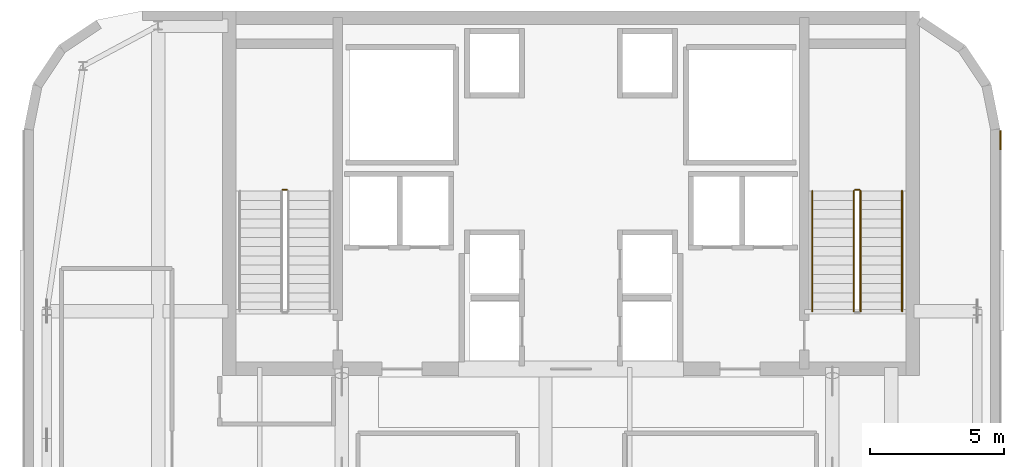
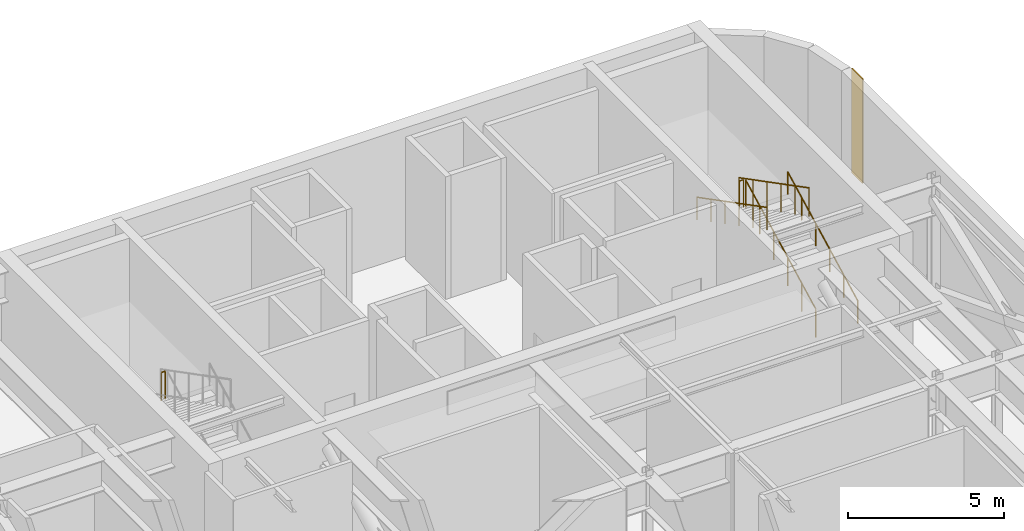
# One storey, part 13 of 13: 6 railings, 1 covering.
"""IFC4 building model written with IfcOpenShell, lengths in metres."""

from ifc_helpers import new_model, si_unit, direction, frame, origin, origin_2d, place, context, subcontext, project, spatial, polyline, circle, outline, extrude, material, layer, layer_set, type_object, element, save


model = new_model("IFC4")

# Units and contexts
model_context = context("Model", 3, precision=1e-05, world=origin(), true_north=direction((0.0, 1.0)))
body_context = subcontext(model_context, "Body", "Model", "MODEL_VIEW")
ifc_project = project(units=[si_unit("LENGTHUNIT", "METRE"), si_unit("AREAUNIT", "SQUARE_METRE"), si_unit("VOLUMEUNIT", "CUBIC_METRE"), si_unit("PLANEANGLEUNIT", "RADIAN"), si_unit("MASSUNIT", "GRAM", prefix="KILO")], contexts=[model_context])

# Site, building, storey
site_placement = place(None, origin())
site = spatial("IfcSite", under=ifc_project, at=site_placement, CompositionType="ELEMENT")
building_placement = place(site_placement, origin())
building = spatial("IfcBuilding", under=site, at=building_placement, Name="Tolvann Quenvar Hotel", CompositionType="ELEMENT")
storey_placement = place(building_placement, frame((0.0, 0.0, 270.050048828125)))
storey = spatial("IfcBuildingStorey", under=building, at=storey_placement, Name="L72", CompositionType="ELEMENT", Elevation=270.050048828125)

# Covering
ifc_material_1 = material(Name="Kiln-fired red architectural face brick cladding", Category="masonry")
ifc_layer = layer(ifc_material_1, 0.0400390625)
ifc_layer_set = layer_set([ifc_layer], Name="Kiln-fired red architectural face brick cladding")
covering_type = type_object("IfcCoveringType", Name="COV_CLAD_BRICK_40", PredefinedType="CLADDING", material=ifc_layer_set)
covering_placement = place(storey_placement, frame((0.0, 0.0, 0.699951171875)))
element("IfcCovering", 1, at=covering_placement, inside=storey, type_object=covering_type, Name="Brick Pier Cladding (L72-E09-P2)", PredefinedType="CLADDING", context=body_context, shape_type="SweptSolid", body=[
    extrude(outline(polyline([(39.0, 40.03271484375), (39.0, 40.73291015625), (39.0400390625, 40.73291015625), (39.0400390625, 40.03271484375), (39.0, 40.03271484375)])), origin(), (0.0, 0.0, 1.0), 4.080078125),
])

# Railings
ifc_material_2 = material(Name="Brushed 316 stainless steel balustrade and handrail", Category="steel")
railing_type_1 = type_object("IfcRailingType", Name="GUARDRAIL", PredefinedType="GUARDRAIL", material=ifc_material_2)
railing_1_placement = place(storey_placement, frame((12.39990234375, 38.534912109375, 2.5)))
element("IfcRailing", 2, at=railing_1_placement, inside=storey, type_object=railing_type_1, Name="L72 ST-C1 stair guard 2", PredefinedType="GUARDRAIL", context=body_context, shape_type="SweptSolid", body=[
    extrude(circle(Radius=0.02392578125, at=origin_2d()), frame((0.0, 0.0, 1.09619140625), z_axis=(-1.0, 0.0, 0.0), x_axis=(0.0, -1.0, 0.0)), (0.0, 0.0, 1.0), 0.14990234375),
    extrude(circle(Radius=0.02099609375, at=origin_2d()), origin(), (0.0, 0.0, 1.0), 1.072021484375),
    extrude(circle(Radius=0.02099609375, at=origin_2d()), frame((-0.14990234375, 0.0, 0.0)), (0.0, 0.0, 1.0), 1.072021484375),
])
railing_2_placement = place(storey_placement, frame((33.800048828125, 34.0, 0.178466796875)))
element("IfcRailing", 3, at=railing_2_placement, inside=storey, type_object=railing_type_1, Name="L72 ST-C2 stair guard 1", PredefinedType="GUARDRAIL", context=body_context, shape_type="SweptSolid", body=[
    extrude(circle(Radius=0.02392578125, at=origin_2d()), frame((0.0, 0.0, 1.09619140625), z_axis=(0.0, 0.888084280779, 0.459680661147), x_axis=(-1.0, 0.0, 0.0)), (0.0, 0.0, 1.0), 5.05029296875),
    extrude(circle(Radius=0.02099609375, at=origin_2d()), origin(), (0.0, 0.0, 1.0), 1.072021484375),
    extrude(circle(Radius=0.02099609375, at=origin_2d()), frame((0.0, 0.89697265625, 0.46435546875)), (0.0, 0.0, 1.0), 1.072021484375),
    extrude(circle(Radius=0.02099609375, at=origin_2d()), frame((0.0, 1.7939453125, 0.9287109375)), (0.0, 0.0, 1.0), 1.072021484375),
    extrude(circle(Radius=0.02099609375, at=origin_2d()), frame((0.0, 2.691162109375, 1.392822265625)), (0.0, 0.0, 1.0), 1.072021484375),
    extrude(circle(Radius=0.02099609375, at=origin_2d()), frame((0.0, 3.588134765625, 1.857177734375)), (0.0, 0.0, 1.0), 1.072021484375),
    extrude(circle(Radius=0.02099609375, at=origin_2d()), frame((0.0, 4.485107421875, 2.321533203125)), (0.0, 0.0, 1.0), 1.072021484375),
])
railing_3_placement = place(storey_placement, frame((33.75, 38.534912109375, 2.5)))
element("IfcRailing", 4, at=railing_3_placement, inside=storey, type_object=railing_type_1, Name="L72 ST-C2 stair guard 2", PredefinedType="GUARDRAIL", context=body_context, shape_type="SweptSolid", body=[
    extrude(circle(Radius=0.02392578125, at=origin_2d()), frame((0.0, 0.0, 1.09619140625), z_axis=(-1.0, 0.0, 0.0), x_axis=(0.0, -1.0, 0.0)), (0.0, 0.0, 1.0), 0.14990234375),
    extrude(circle(Radius=0.02099609375, at=origin_2d()), origin(), (0.0, 0.0, 1.0), 1.072021484375),
    extrude(circle(Radius=0.02099609375, at=origin_2d()), frame((-0.14990234375, 0.0, 0.0)), (0.0, 0.0, 1.0), 1.072021484375),
])
railing_4_placement = place(storey_placement, frame((33.550048828125, 38.485107421875, 2.678466796875)))
element("IfcRailing", 5, at=railing_4_placement, inside=storey, type_object=railing_type_1, Name="L72 ST-C2 stair guard 3", PredefinedType="GUARDRAIL", context=body_context, shape_type="SweptSolid", body=[
    extrude(circle(Radius=0.02392578125, at=origin_2d()), frame((0.0, 0.0, 1.09619140625), z_axis=(0.0, -0.888084280779, 0.459680661147), x_axis=(1.0, 0.0, 0.0)), (0.0, 0.0, 1.0), 5.05029296875),
    extrude(circle(Radius=0.02099609375, at=origin_2d()), origin(), (0.0, 0.0, 1.0), 1.072021484375),
    extrude(circle(Radius=0.02099609375, at=origin_2d()), frame((0.0, -0.89697265625, 0.46435546875)), (0.0, 0.0, 1.0), 1.072021484375),
    extrude(circle(Radius=0.02099609375, at=origin_2d()), frame((0.0, -1.7939453125, 0.9287109375)), (0.0, 0.0, 1.0), 1.072021484375),
    extrude(circle(Radius=0.02099609375, at=origin_2d()), frame((0.0, -2.691162109375, 1.392822265625)), (0.0, 0.0, 1.0), 1.072021484375),
    extrude(circle(Radius=0.02099609375, at=origin_2d()), frame((0.0, -3.588134765625, 1.857177734375)), (0.0, 0.0, 1.0), 1.072021484375),
    extrude(circle(Radius=0.02099609375, at=origin_2d()), frame((0.0, -4.485107421875, 2.321533203125)), (0.0, 0.0, 1.0), 1.072021484375),
])
railing_type_2 = type_object("IfcRailingType", Name="HANDRAIL", PredefinedType="HANDRAIL", material=ifc_material_2)
railing_5_placement = place(storey_placement, frame((35.35009765625, 34.0, 0.178466796875)))
element("IfcRailing", 6, at=railing_5_placement, inside=storey, type_object=railing_type_2, Name="L72 ST-C2 stair handrail 1", PredefinedType="HANDRAIL", context=body_context, shape_type="SweptSolid", body=[
    extrude(circle(Radius=0.02392578125, at=origin_2d()), frame((0.0, 0.0, 0.8759765625), z_axis=(0.0, 0.888084280779, 0.459680661147), x_axis=(-1.0, 0.0, 0.0)), (0.0, 0.0, 1.0), 5.05029296875),
    extrude(circle(Radius=0.02099609375, at=origin_2d()), origin(), (0.0, 0.0, 1.0), 0.851806640625),
    extrude(circle(Radius=0.02099609375, at=origin_2d()), frame((0.0, 0.89697265625, 0.46435546875)), (0.0, 0.0, 1.0), 0.851806640625),
    extrude(circle(Radius=0.02099609375, at=origin_2d()), frame((0.0, 1.7939453125, 0.9287109375)), (0.0, 0.0, 1.0), 0.851806640625),
    extrude(circle(Radius=0.02099609375, at=origin_2d()), frame((0.0, 2.691162109375, 1.392822265625)), (0.0, 0.0, 1.0), 0.851806640625),
    extrude(circle(Radius=0.02099609375, at=origin_2d()), frame((0.0, 3.588134765625, 1.857177734375)), (0.0, 0.0, 1.0), 0.851806640625),
    extrude(circle(Radius=0.02099609375, at=origin_2d()), frame((0.0, 4.485107421875, 2.321533203125)), (0.0, 0.0, 1.0), 0.851806640625),
])
railing_6_placement = place(storey_placement, frame((32.0, 38.485107421875, 2.678466796875)))
element("IfcRailing", 7, at=railing_6_placement, inside=storey, type_object=railing_type_2, Name="L72 ST-C2 stair handrail 2", PredefinedType="HANDRAIL", context=body_context, shape_type="SweptSolid", body=[
    extrude(circle(Radius=0.02392578125, at=origin_2d()), frame((0.0, 0.0, 0.8759765625), z_axis=(0.0, -0.888084280779, 0.459680661147), x_axis=(1.0, 0.0, 0.0)), (0.0, 0.0, 1.0), 5.05029296875),
    extrude(circle(Radius=0.02099609375, at=origin_2d()), origin(), (0.0, 0.0, 1.0), 0.851806640625),
    extrude(circle(Radius=0.02099609375, at=origin_2d()), frame((0.0, -0.89697265625, 0.46435546875)), (0.0, 0.0, 1.0), 0.851806640625),
    extrude(circle(Radius=0.02099609375, at=origin_2d()), frame((0.0, -1.7939453125, 0.9287109375)), (0.0, 0.0, 1.0), 0.851806640625),
    extrude(circle(Radius=0.02099609375, at=origin_2d()), frame((0.0, -2.691162109375, 1.392822265625)), (0.0, 0.0, 1.0), 0.851806640625),
    extrude(circle(Radius=0.02099609375, at=origin_2d()), frame((0.0, -3.588134765625, 1.857177734375)), (0.0, 0.0, 1.0), 0.851806640625),
    extrude(circle(Radius=0.02099609375, at=origin_2d()), frame((0.0, -4.485107421875, 2.321533203125)), (0.0, 0.0, 1.0), 0.851806640625),
])

save(model, "model.ifc")
